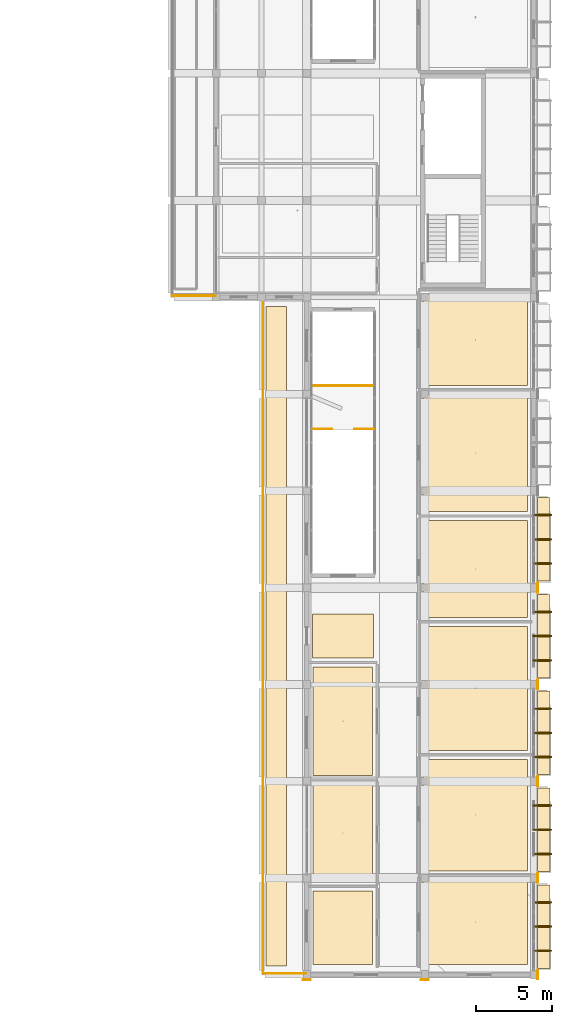
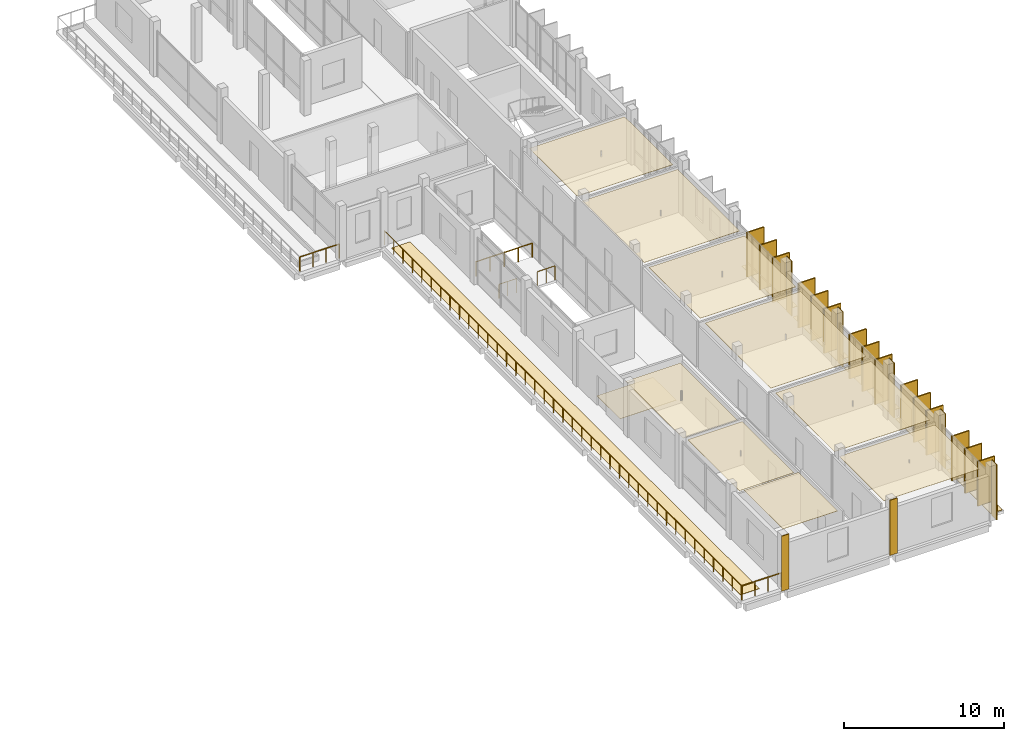
# One storey, part 82 of 85: 38 coverings, 15 shading devices, 6 railings.
"""IFC4 building model written with IfcOpenShell, lengths in metres."""

from ifc_helpers import new_model, si_unit, derived_unit, direction, frame, origin, origin_2d, place, context, subcontext, project, spatial, polyline, rectangle, circle, outline, extrude, material, layer, layer_set, type_object, element, save


model = new_model("IFC4")

# Units and contexts
model_context = context("Model", 3, precision=1e-05, world=origin(), true_north=direction((0.0, 1.0)))
body_context = subcontext(model_context, "Body", "Model", "MODEL_VIEW")
ifc_project = project(units=[si_unit("LENGTHUNIT", "METRE"), si_unit("AREAUNIT", "SQUARE_METRE"), si_unit("VOLUMEUNIT", "CUBIC_METRE"), si_unit("PLANEANGLEUNIT", "RADIAN"), si_unit("MASSUNIT", "GRAM", prefix="KILO"), derived_unit("THERMALTRANSMITTANCEUNIT", [(si_unit("POWERUNIT", "WATT"), 1), (si_unit("LENGTHUNIT", "METRE"), -2), (si_unit("THERMODYNAMICTEMPERATUREUNIT", "KELVIN"), -1)])], contexts=[model_context])

# Site, building, storey
site_placement = place(None, origin())
site = spatial("IfcSite", under=ifc_project, at=site_placement, CompositionType="ELEMENT")
building_placement = place(site_placement, origin())
building = spatial("IfcBuilding", under=site, at=building_placement, Name="Braskholm Square Health Centre", CompositionType="ELEMENT")
storey_placement = place(building_placement, frame((0.0, 0.0, 9.300048828125)))
storey = spatial("IfcBuildingStorey", under=building, at=storey_placement, Name="L03", CompositionType="ELEMENT", Elevation=9.300048828125)

# Coverings
ifc_material_1 = material(Name="Fire-rated gypsum board barrier")
ifc_layer_1 = layer(ifc_material_1, 0.02490234375)
ifc_layer_set_1 = layer_set([ifc_layer_1], Name="Fire-rated gypsum board barrier")
covering_type_1 = type_object("IfcCoveringType", Name="AcousticClinicalCeilingTile", PredefinedType="CEILING", material=ifc_layer_set_1)
covering_1_placement = place(storey_placement, frame((0.0, 0.0, 3.46484375)))
element("IfcCovering", 1, at=covering_1_placement, inside=storey, type_object=covering_type_1, Name="Acoustic ceiling L03-216", PredefinedType="CEILING", context=body_context, shape_type="SweptSolid", body=[
    extrude(outline(polyline([(156.5, 4.89990234375), (163.3798828125, 4.89990234375), (163.3798828125, 10.47998046875), (156.5, 10.47998046875), (156.5, 4.89990234375)])), origin(), (0.0, 0.0, 1.0), 0.025146484375),
])
covering_2_placement = place(storey_placement, frame((0.0, 0.0, 3.46484375)))
element("IfcCovering", 2, at=covering_2_placement, inside=storey, type_object=covering_type_1, Name="Acoustic ceiling L03-217", PredefinedType="CEILING", context=body_context, shape_type="SweptSolid", body=[
    extrude(outline(polyline([(156.5, 11.080078125), (163.3798828125, 11.080078125), (163.3798828125, 18.449951171875), (156.5, 18.449951171875), (156.5, 11.080078125)])), origin(), (0.0, 0.0, 1.0), 0.025146484375),
])
covering_3_placement = place(storey_placement, frame((0.0, 0.0, 3.46484375)))
element("IfcCovering", 3, at=covering_3_placement, inside=storey, type_object=covering_type_1, Name="Acoustic ceiling L03-218", PredefinedType="CEILING", context=body_context, shape_type="SweptSolid", body=[
    extrude(outline(polyline([(156.5, 19.050048828125), (163.3798828125, 19.050048828125), (163.3798828125, 27.239990234375), (156.5, 27.239990234375), (156.5, 19.050048828125)])), origin(), (0.0, 0.0, 1.0), 0.025146484375),
])
covering_4_placement = place(storey_placement, frame((0.0, 0.0, 3.46484375)))
element("IfcCovering", 4, at=covering_4_placement, inside=storey, type_object=covering_type_1, Name="Acoustic ceiling L03-219", PredefinedType="CEILING", context=body_context, shape_type="SweptSolid", body=[
    extrude(outline(polyline([(156.5, 27.840087890625), (163.3798828125, 27.840087890625), (163.3798828125, 34.239990234375), (156.5, 34.239990234375), (156.5, 27.840087890625)])), origin(), (0.0, 0.0, 1.0), 0.025146484375),
])
covering_5_placement = place(storey_placement, frame((0.0, 0.0, 3.46484375)))
element("IfcCovering", 5, at=covering_5_placement, inside=storey, type_object=covering_type_1, Name="Acoustic ceiling L03-220", PredefinedType="CEILING", context=body_context, shape_type="SweptSolid", body=[
    extrude(outline(polyline([(156.5, 34.840087890625), (163.3798828125, 34.840087890625), (163.3798828125, 42.580078125), (156.5, 42.580078125), (156.5, 34.840087890625)])), origin(), (0.0, 0.0, 1.0), 0.025146484375),
])
covering_6_placement = place(storey_placement, frame((0.0, 0.0, 3.46484375)))
element("IfcCovering", 6, at=covering_6_placement, inside=storey, type_object=covering_type_1, Name="Acoustic ceiling L03-221", PredefinedType="CEILING", context=body_context, shape_type="SweptSolid", body=[
    extrude(outline(polyline([(156.5, 43.179931640625), (163.3798828125, 43.179931640625), (163.3798828125, 49.199951171875), (156.5, 49.199951171875), (156.5, 43.179931640625)])), origin(), (0.0, 0.0, 1.0), 0.025146484375),
])
covering_7_placement = place(storey_placement, frame((0.0, 0.0, 3.864990234375)))
element("IfcCovering", 7, at=covering_7_placement, inside=storey, type_object=covering_type_1, Name="Acoustic ceiling L03-235", PredefinedType="CEILING", context=body_context, shape_type="SweptSolid", body=[
    extrude(outline(polyline([(149.219970703125, 4.89990234375), (153.14990234375, 4.89990234375), (153.14990234375, 9.760009765625), (149.219970703125, 9.760009765625), (149.219970703125, 4.89990234375)])), origin(), (0.0, 0.0, 1.0), 0.02490234375),
])
covering_8_placement = place(storey_placement, frame((0.0, 0.0, 3.46484375)))
element("IfcCovering", 8, at=covering_8_placement, inside=storey, type_object=covering_type_1, Name="Acoustic ceiling L03-236", PredefinedType="CEILING", context=body_context, shape_type="SweptSolid", body=[
    extrude(outline(polyline([(149.219970703125, 10.360107421875), (153.14990234375, 10.360107421875), (153.14990234375, 16.7900390625), (149.219970703125, 16.7900390625), (149.219970703125, 10.360107421875)])), origin(), (0.0, 0.0, 1.0), 0.025146484375),
])
covering_9_placement = place(storey_placement, frame((0.0, 0.0, 3.21484375)))
element("IfcCovering", 9, at=covering_9_placement, inside=storey, type_object=covering_type_1, Name="Acoustic ceiling L03-237", PredefinedType="CEILING", context=body_context, shape_type="SweptSolid", body=[
    extrude(outline(polyline([(149.219970703125, 17.389892578125), (153.14990234375, 17.389892578125), (153.14990234375, 24.550048828125), (149.219970703125, 24.550048828125), (149.219970703125, 17.389892578125)])), origin(), (0.0, 0.0, 1.0), 0.025146484375),
])

# Railings
ifc_material_2 = material(Name="Dark patinated chevron architectural bronze", Category="aluminium")
railing_type = type_object("IfcRailingType", Name="BronzeChevronGuardrail1100", PredefinedType="GUARDRAIL", material=ifc_material_2)
railing_1_placement = place(storey_placement, frame((149.179931640625, 43.14990234375, 0.0)))
element("IfcRailing", 10, at=railing_1_placement, inside=storey, type_object=railing_type, Name="Atrium stair landing edge guard 10", PredefinedType="GUARDRAIL", context=body_context, shape_type="SweptSolid", body=[
    extrude(circle(Radius=0.02392578125, at=origin_2d()), frame((0.0, 0.0, 1.076171875), z_axis=(1.0, 0.0, 0.0), x_axis=(0.0, 1.0, 0.0)), (0.0, 0.0, 1.0), 4.0400390625),
    extrude(circle(Radius=0.02099609375, at=origin_2d()), origin(), (0.0, 0.0, 1.0), 1.052001953125),
    extrude(circle(Radius=0.02099609375, at=origin_2d()), frame((1.010009765625, 0.0, 0.0)), (0.0, 0.0, 1.0), 1.052001953125),
    extrude(circle(Radius=0.02099609375, at=origin_2d()), frame((2.02001953125, 0.0, 0.0)), (0.0, 0.0, 1.0), 1.052001953125),
    extrude(circle(Radius=0.02099609375, at=origin_2d()), frame((3.030029296875, 0.0, 0.0)), (0.0, 0.0, 1.0), 1.052001953125),
    extrude(circle(Radius=0.02099609375, at=origin_2d()), frame((4.0400390625, 0.0, 0.0)), (0.0, 0.0, 1.0), 1.052001953125),
])
for number, where, name in (
    (11, (149.179931640625, 40.300048828125, 0.0), "Atrium stair landing edge guard 11"),
    (12, (151.949951171875, 40.300048828125, 0.0), "Atrium stair landing edge guard 12"),
):
    element("IfcRailing", number, at=place(storey_placement, frame(where)), inside=storey, type_object=railing_type, Name=name, PredefinedType="GUARDRAIL", context=body_context, shape_type="SweptSolid", body=[
        extrude(circle(Radius=0.02392578125, at=origin_2d()), frame((0.0, 0.0, 1.076171875), z_axis=(1.0, 0.0, 0.0), x_axis=(0.0, 1.0, 0.0)), (0.0, 0.0, 1.0), 1.27001953125),
        extrude(circle(Radius=0.02099609375, at=origin_2d()), origin(), (0.0, 0.0, 1.0), 1.052001953125),
        extrude(circle(Radius=0.02099609375, at=origin_2d()), frame((0.635009765625, 0.0, 0.0)), (0.0, 0.0, 1.0), 1.052001953125),
        extrude(circle(Radius=0.02099609375, at=origin_2d()), frame((1.27001953125, 0.0, 0.0)), (0.0, 0.0, 1.0), 1.052001953125),
    ])
railing_2_placement = place(storey_placement, frame((148.75, 4.300048828125, 0.0)))
element("IfcRailing", 13, at=railing_2_placement, inside=storey, type_object=railing_type, Name="Bronze chevron guardrail 0032 L03", PredefinedType="GUARDRAIL", context=body_context, shape_type="SweptSolid", body=[
    extrude(circle(Radius=0.02392578125, at=origin_2d()), frame((0.0, 0.0, 1.076171875), z_axis=(-1.0, 0.0, 0.0), x_axis=(0.0, -1.0, 0.0)), (0.0, 0.0, 1.0), 2.85009765625),
    extrude(circle(Radius=0.02099609375, at=origin_2d()), origin(), (0.0, 0.0, 1.0), 1.052001953125),
    extrude(circle(Radius=0.02099609375, at=origin_2d()), frame((-0.949951171875, 0.0, 0.0)), (0.0, 0.0, 1.0), 1.052001953125),
    extrude(circle(Radius=0.02099609375, at=origin_2d()), frame((-1.900146484375, 0.0, 0.0)), (0.0, 0.0, 1.0), 1.052001953125),
    extrude(circle(Radius=0.02099609375, at=origin_2d()), frame((-2.85009765625, 0.0, 0.0)), (0.0, 0.0, 1.0), 1.052001953125),
])
railing_3_placement = place(storey_placement, frame((145.89990234375, 4.300048828125, 0.0)))
element("IfcRailing", 14, at=railing_3_placement, inside=storey, type_object=railing_type, Name="Bronze chevron guardrail 0033 L03", PredefinedType="GUARDRAIL", context=body_context, shape_type="SweptSolid", body=[
    extrude(circle(Radius=0.02392578125, at=origin_2d()), frame((0.0, 0.0, 1.076171875), z_axis=(0.0, 1.0, 0.0), x_axis=(-1.0, 0.0, 0.0)), (0.0, 0.0, 1.0), 44.64990234375),
    extrude(circle(Radius=0.02099609375, at=origin_2d()), origin(), (0.0, 0.0, 1.0), 1.052001953125),
    extrude(circle(Radius=0.02099609375, at=origin_2d()), frame((0.0, 1.175048828125, 0.0)), (0.0, 0.0, 1.0), 1.052001953125),
    extrude(circle(Radius=0.02099609375, at=origin_2d()), frame((0.0, 2.35009765625, 0.0)), (0.0, 0.0, 1.0), 1.052001953125),
    extrude(circle(Radius=0.02099609375, at=origin_2d()), frame((0.0, 3.52490234375, 0.0)), (0.0, 0.0, 1.0), 1.052001953125),
    extrude(circle(Radius=0.02099609375, at=origin_2d()), frame((0.0, 4.699951171875, 0.0)), (0.0, 0.0, 1.0), 1.052001953125),
    extrude(circle(Radius=0.02099609375, at=origin_2d()), frame((0.0, 5.875, 0.0)), (0.0, 0.0, 1.0), 1.052001953125),
    extrude(circle(Radius=0.02099609375, at=origin_2d()), frame((0.0, 7.050048828125, 0.0)), (0.0, 0.0, 1.0), 1.052001953125),
    extrude(circle(Radius=0.02099609375, at=origin_2d()), frame((0.0, 8.22509765625, 0.0)), (0.0, 0.0, 1.0), 1.052001953125),
    extrude(circle(Radius=0.02099609375, at=origin_2d()), frame((0.0, 9.39990234375, 0.0)), (0.0, 0.0, 1.0), 1.052001953125),
    extrude(circle(Radius=0.02099609375, at=origin_2d()), frame((0.0, 10.574951171875, 0.0)), (0.0, 0.0, 1.0), 1.052001953125),
    extrude(circle(Radius=0.02099609375, at=origin_2d()), frame((0.0, 11.75, 0.0)), (0.0, 0.0, 1.0), 1.052001953125),
    extrude(circle(Radius=0.02099609375, at=origin_2d()), frame((0.0, 12.925048828125, 0.0)), (0.0, 0.0, 1.0), 1.052001953125),
    extrude(circle(Radius=0.02099609375, at=origin_2d()), frame((0.0, 14.099853515625, 0.0)), (0.0, 0.0, 1.0), 1.052001953125),
    extrude(circle(Radius=0.02099609375, at=origin_2d()), frame((0.0, 15.27490234375, 0.0)), (0.0, 0.0, 1.0), 1.052001953125),
    extrude(circle(Radius=0.02099609375, at=origin_2d()), frame((0.0, 16.449951171875, 0.0)), (0.0, 0.0, 1.0), 1.052001953125),
    extrude(circle(Radius=0.02099609375, at=origin_2d()), frame((0.0, 17.625, 0.0)), (0.0, 0.0, 1.0), 1.052001953125),
    extrude(circle(Radius=0.02099609375, at=origin_2d()), frame((0.0, 18.800048828125, 0.0)), (0.0, 0.0, 1.0), 1.052001953125),
    extrude(circle(Radius=0.02099609375, at=origin_2d()), frame((0.0, 19.974853515625, 0.0)), (0.0, 0.0, 1.0), 1.052001953125),
    extrude(circle(Radius=0.02099609375, at=origin_2d()), frame((0.0, 21.14990234375, 0.0)), (0.0, 0.0, 1.0), 1.052001953125),
    extrude(circle(Radius=0.02099609375, at=origin_2d()), frame((0.0, 22.324951171875, 0.0)), (0.0, 0.0, 1.0), 1.052001953125),
    extrude(circle(Radius=0.02099609375, at=origin_2d()), frame((0.0, 23.5, 0.0)), (0.0, 0.0, 1.0), 1.052001953125),
    extrude(circle(Radius=0.02099609375, at=origin_2d()), frame((0.0, 24.675048828125, 0.0)), (0.0, 0.0, 1.0), 1.052001953125),
    extrude(circle(Radius=0.02099609375, at=origin_2d()), frame((0.0, 25.849853515625, 0.0)), (0.0, 0.0, 1.0), 1.052001953125),
    extrude(circle(Radius=0.02099609375, at=origin_2d()), frame((0.0, 27.02490234375, 0.0)), (0.0, 0.0, 1.0), 1.052001953125),
    extrude(circle(Radius=0.02099609375, at=origin_2d()), frame((0.0, 28.199951171875, 0.0)), (0.0, 0.0, 1.0), 1.052001953125),
    extrude(circle(Radius=0.02099609375, at=origin_2d()), frame((0.0, 29.375, 0.0)), (0.0, 0.0, 1.0), 1.052001953125),
    extrude(circle(Radius=0.02099609375, at=origin_2d()), frame((0.0, 30.550048828125, 0.0)), (0.0, 0.0, 1.0), 1.052001953125),
    extrude(circle(Radius=0.02099609375, at=origin_2d()), frame((0.0, 31.724853515625, 0.0)), (0.0, 0.0, 1.0), 1.052001953125),
    extrude(circle(Radius=0.02099609375, at=origin_2d()), frame((0.0, 32.89990234375, 0.0)), (0.0, 0.0, 1.0), 1.052001953125),
    extrude(circle(Radius=0.02099609375, at=origin_2d()), frame((0.0, 34.074951171875, 0.0)), (0.0, 0.0, 1.0), 1.052001953125),
    extrude(circle(Radius=0.02099609375, at=origin_2d()), frame((0.0, 35.25, 0.0)), (0.0, 0.0, 1.0), 1.052001953125),
    extrude(circle(Radius=0.02099609375, at=origin_2d()), frame((0.0, 36.4248046875, 0.0)), (0.0, 0.0, 1.0), 1.052001953125),
    extrude(circle(Radius=0.02099609375, at=origin_2d()), frame((0.0, 37.599853515625, 0.0)), (0.0, 0.0, 1.0), 1.052001953125),
    extrude(circle(Radius=0.02099609375, at=origin_2d()), frame((0.0, 38.77490234375, 0.0)), (0.0, 0.0, 1.0), 1.052001953125),
    extrude(circle(Radius=0.02099609375, at=origin_2d()), frame((0.0, 39.949951171875, 0.0)), (0.0, 0.0, 1.0), 1.052001953125),
    extrude(circle(Radius=0.02099609375, at=origin_2d()), frame((0.0, 41.125, 0.0)), (0.0, 0.0, 1.0), 1.052001953125),
    extrude(circle(Radius=0.02099609375, at=origin_2d()), frame((0.0, 42.2998046875, 0.0)), (0.0, 0.0, 1.0), 1.052001953125),
    extrude(circle(Radius=0.02099609375, at=origin_2d()), frame((0.0, 43.474853515625, 0.0)), (0.0, 0.0, 1.0), 1.052001953125),
    extrude(circle(Radius=0.02099609375, at=origin_2d()), frame((0.0, 44.64990234375, 0.0)), (0.0, 0.0, 1.0), 1.052001953125),
])
railing_4_placement = place(storey_placement, frame((142.75, 49.10009765625, 0.0)))
element("IfcRailing", 15, at=railing_4_placement, inside=storey, type_object=railing_type, Name="Bronze chevron guardrail 0034 L03", PredefinedType="GUARDRAIL", context=body_context, shape_type="SweptSolid", body=[
    extrude(circle(Radius=0.02392578125, at=origin_2d()), frame((0.0, 0.0, 1.076171875), z_axis=(-1.0, 0.0, 0.0), x_axis=(0.0, -1.0, 0.0)), (0.0, 0.0, 1.0), 2.85009765625),
    extrude(circle(Radius=0.02099609375, at=origin_2d()), origin(), (0.0, 0.0, 1.0), 1.052001953125),
    extrude(circle(Radius=0.02099609375, at=origin_2d()), frame((-0.949951171875, 0.0, 0.0)), (0.0, 0.0, 1.0), 1.052001953125),
    extrude(circle(Radius=0.02099609375, at=origin_2d()), frame((-1.900146484375, 0.0, 0.0)), (0.0, 0.0, 1.0), 1.052001953125),
    extrude(circle(Radius=0.02099609375, at=origin_2d()), frame((-2.85009765625, 0.0, 0.0)), (0.0, 0.0, 1.0), 1.052001953125),
])

# Shading devices
ifc_material_3 = material(Name="Thermally modified western red cedar with bronze trim", Category="wood")
shading_device_type = type_object("IfcShadingDeviceType", Name="CedarBronzeShadingFin1250", PredefinedType="USERDEFINED", material=ifc_material_3)
for number, where, z_axis, x_axis, name in (
    (16, (164.364990234375, 5.800048828125, 0.0), (0.0, 0.0, 1.0), (1.0, 0.0, 0.0), "Warm cedar-bronze vertical shading slat 0256"),
    (17, (164.364990234375, 7.39990234375, 0.0), (0.0, 0.0, 1.0), (1.0, 0.0, 0.0), "Warm cedar-bronze vertical shading slat 0257"),
    (18, (164.364990234375, 9.0, 0.0), (0.0, 0.0, 1.0), (1.0, 0.0, 0.0), "Warm cedar-bronze vertical shading slat 0258"),
    (19, (164.364990234375, 12.199951171875, 0.0), (0.0, 0.0, 1.0), (1.0, 0.0, 0.0), "Warm cedar-bronze vertical shading slat 0259"),
    (20, (164.364990234375, 13.800048828125, 0.0), (0.0, 0.0, 1.0), (1.0, 0.0, 0.0), "Warm cedar-bronze vertical shading slat 0260"),
    (21, (164.364990234375, 15.39990234375, 0.0), (0.0, 0.0, 1.0), (1.0, 0.0, 0.0), "Warm cedar-bronze vertical shading slat 0261"),
    (22, (164.364990234375, 18.60009765625, 0.0), (0.0, 0.0, 1.0), (1.0, 0.0, 0.0), "Warm cedar-bronze vertical shading slat 0262"),
    (23, (164.364990234375, 20.199951171875, 0.0), (0.0, 0.0, 1.0), (1.0, 0.0, 0.0), "Warm cedar-bronze vertical shading slat 0263"),
    (24, (164.364990234375, 21.800048828125, 0.0), (0.0, 0.0, 1.0), (1.0, 0.0, 0.0), "Warm cedar-bronze vertical shading slat 0264"),
    (25, (164.364990234375, 25.0, 0.0), (0.0, 0.0, 1.0), (1.0, 0.0, 0.0), "Warm cedar-bronze vertical shading slat 0265"),
    (26, (164.364990234375, 26.60009765625, 0.0), (0.0, 0.0, 1.0), (1.0, 0.0, 0.0), "Warm cedar-bronze vertical shading slat 0266"),
    (27, (164.364990234375, 28.199951171875, 0.0), (0.0, 0.0, 1.0), (1.0, 0.0, 0.0), "Warm cedar-bronze vertical shading slat 0267"),
    (28, (164.364990234375, 31.39990234375, 0.0), (0.0, 0.0, 1.0), (1.0, 0.0, 0.0), "Warm cedar-bronze vertical shading slat 0268"),
    (29, (164.364990234375, 33.0, 0.0), (0.0, 0.0, 1.0), (1.0, 0.0, 0.0), "Warm cedar-bronze vertical shading slat 0269"),
    (30, (164.364990234375, 34.60009765625, 0.0), (0.0, 0.0, 1.0), (1.0, 0.0, 0.0), "Warm cedar-bronze vertical shading slat 0270"),
):
    element("IfcShadingDevice", number, at=place(storey_placement, frame(where, z_axis=z_axis, x_axis=x_axis)), inside=storey, type_object=shading_device_type, Name=name, ObjectType="FIN", PredefinedType="USERDEFINED", context=body_context, shape_type="SweptSolid", body=[
        extrude(rectangle(XDim=1.25, YDim=0.0849609375, at=origin_2d()), origin(), (0.0, 0.0, 1.0), 3.39990234375),
    ])

# Coverings
ifc_layer_2 = layer(ifc_material_3, 0.0849609375)
ifc_layer_set_2 = layer_set([ifc_layer_2], Name="Thermally modified western red cedar with bronze trim")
covering_type_2 = type_object("IfcCoveringType", Name="CedarBronzeSlatCladding", PredefinedType="CLADDING", material=ifc_layer_set_2)
for number, where, z_axis, x_axis, name in (
    (31, (164.3701171875, 5.800048828125, 0.0), (0.0, 0.0, 1.0), (1.0, 0.0, 0.0), "Cedar-bronze shading slat trim 0747"),
    (32, (164.3701171875, 7.39990234375, 0.0), (0.0, 0.0, 1.0), (1.0, 0.0, 0.0), "Cedar-bronze shading slat trim 0748"),
    (33, (164.3701171875, 9.0, 0.0), (0.0, 0.0, 1.0), (1.0, 0.0, 0.0), "Cedar-bronze shading slat trim 0749"),
    (34, (164.3701171875, 12.199951171875, 0.0), (0.0, 0.0, 1.0), (1.0, 0.0, 0.0), "Cedar-bronze shading slat trim 0751"),
    (35, (164.3701171875, 13.800048828125, 0.0), (0.0, 0.0, 1.0), (1.0, 0.0, 0.0), "Cedar-bronze shading slat trim 0752"),
    (36, (164.3701171875, 15.39990234375, 0.0), (0.0, 0.0, 1.0), (1.0, 0.0, 0.0), "Cedar-bronze shading slat trim 0753"),
    (37, (164.3701171875, 18.60009765625, 0.0), (0.0, 0.0, 1.0), (1.0, 0.0, 0.0), "Cedar-bronze shading slat trim 0755"),
    (38, (164.3701171875, 20.199951171875, 0.0), (0.0, 0.0, 1.0), (1.0, 0.0, 0.0), "Cedar-bronze shading slat trim 0756"),
    (39, (164.3701171875, 21.800048828125, 0.0), (0.0, 0.0, 1.0), (1.0, 0.0, 0.0), "Cedar-bronze shading slat trim 0757"),
    (40, (164.3701171875, 25.0, 0.0), (0.0, 0.0, 1.0), (1.0, 0.0, 0.0), "Cedar-bronze shading slat trim 0759"),
    (41, (164.3701171875, 26.60009765625, 0.0), (0.0, 0.0, 1.0), (1.0, 0.0, 0.0), "Cedar-bronze shading slat trim 0760"),
    (42, (164.3701171875, 28.199951171875, 0.0), (0.0, 0.0, 1.0), (1.0, 0.0, 0.0), "Cedar-bronze shading slat trim 0761"),
    (43, (164.3701171875, 31.39990234375, 0.0), (0.0, 0.0, 1.0), (1.0, 0.0, 0.0), "Cedar-bronze shading slat trim 0763"),
    (44, (164.3701171875, 33.0, 0.0), (0.0, 0.0, 1.0), (1.0, 0.0, 0.0), "Cedar-bronze shading slat trim 0764"),
    (45, (164.3701171875, 34.60009765625, 0.0), (0.0, 0.0, 1.0), (1.0, 0.0, 0.0), "Cedar-bronze shading slat trim 0765"),
):
    element("IfcCovering", number, at=place(storey_placement, frame(where, z_axis=z_axis, x_axis=x_axis)), inside=storey, type_object=covering_type_2, Name=name, PredefinedType="CLADDING", context=body_context, shape_type="SweptSolid", body=[
        extrude(rectangle(XDim=1.179931640625, YDim=0.094970703125, at=origin_2d()), origin(), (0.0, 0.0, 1.0), 3.39990234375),
    ])
ifc_material_4 = material(Name="Intensive botanical sedum and native prairie garden bed")
ifc_layer_3 = layer(ifc_material_4, 0.02490234375)
ifc_layer_set_3 = layer_set([ifc_layer_3], Name="Intensive botanical sedum and native prairie garden bed")
covering_type_3 = type_object("IfcCoveringType", Name="PlantedTerraceGardenBed", PredefinedType="ROOFING", material=ifc_layer_set_3)
covering_10_placement = place(storey_placement, origin())
element("IfcCovering", 46, at=covering_10_placement, inside=storey, type_object=covering_type_3, Name="East floor planter ledge sedum strip 0750", PredefinedType="ROOFING", context=body_context, shape_type="SweptSolid", body=[
    extrude(outline(polyline([(164.050048828125, 4.639892578125), (164.8798828125, 4.639892578125), (164.8798828125, 10.159912109375), (164.050048828125, 10.159912109375), (164.050048828125, 4.639892578125)])), origin(), (0.0, 0.0, 1.0), 0.02490234375),
])
covering_11_placement = place(storey_placement, origin())
element("IfcCovering", 47, at=covering_11_placement, inside=storey, type_object=covering_type_3, Name="East floor planter ledge sedum strip 0754", PredefinedType="ROOFING", context=body_context, shape_type="SweptSolid", body=[
    extrude(outline(polyline([(164.050048828125, 11.0400390625), (164.8798828125, 11.0400390625), (164.8798828125, 16.56005859375), (164.050048828125, 16.56005859375), (164.050048828125, 11.0400390625)])), origin(), (0.0, 0.0, 1.0), 0.02490234375),
])
covering_12_placement = place(storey_placement, origin())
element("IfcCovering", 48, at=covering_12_placement, inside=storey, type_object=covering_type_3, Name="East floor planter ledge sedum strip 0758", PredefinedType="ROOFING", context=body_context, shape_type="SweptSolid", body=[
    extrude(outline(polyline([(164.050048828125, 17.43994140625), (164.8798828125, 17.43994140625), (164.8798828125, 22.9599609375), (164.050048828125, 22.9599609375), (164.050048828125, 17.43994140625)])), origin(), (0.0, 0.0, 1.0), 0.02490234375),
])
covering_13_placement = place(storey_placement, origin())
element("IfcCovering", 49, at=covering_13_placement, inside=storey, type_object=covering_type_3, Name="East floor planter ledge sedum strip 0762", PredefinedType="ROOFING", context=body_context, shape_type="SweptSolid", body=[
    extrude(outline(polyline([(164.050048828125, 23.840087890625), (164.8798828125, 23.840087890625), (164.8798828125, 29.360107421875), (164.050048828125, 29.360107421875), (164.050048828125, 23.840087890625)])), origin(), (0.0, 0.0, 1.0), 0.02490234375),
])
covering_14_placement = place(storey_placement, origin())
element("IfcCovering", 50, at=covering_14_placement, inside=storey, type_object=covering_type_3, Name="East floor planter ledge sedum strip 0766", PredefinedType="ROOFING", context=body_context, shape_type="SweptSolid", body=[
    extrude(outline(polyline([(164.050048828125, 30.239990234375), (164.8798828125, 30.239990234375), (164.8798828125, 35.760009765625), (164.050048828125, 35.760009765625), (164.050048828125, 30.239990234375)])), origin(), (0.0, 0.0, 1.0), 0.02490234375),
])
covering_15_placement = place(storey_placement, origin())
element("IfcCovering", 51, at=covering_15_placement, inside=storey, type_object=covering_type_3, Name="Planted therapy terrace garden bed 0912", PredefinedType="ROOFING", context=body_context, shape_type="SweptSolid", body=[
    extrude(outline(polyline([(146.10009765625, 4.800048828125), (147.449951171875, 4.800048828125), (147.449951171875, 48.39990234375), (146.10009765625, 48.39990234375), (146.10009765625, 4.800048828125)])), origin(), (0.0, 0.0, 1.0), 0.02490234375),
])
ifc_material_5 = material(Name="Polished geometric terrazzo flooring", Category="masonry")
ifc_layer_4 = layer(ifc_material_5, 0.02001953125)
ifc_layer_set_4 = layer_set([ifc_layer_4], Name="Polished geometric terrazzo flooring")
covering_type_4 = type_object("IfcCoveringType", Name="PolishedTerrazzoFloorFinish", PredefinedType="FLOORING", material=ifc_layer_set_4)
covering_16_placement = place(storey_placement, origin())
element("IfcCovering", 52, at=covering_16_placement, inside=storey, type_object=covering_type_4, Name="Polished terrazzo floor L03-231", PredefinedType="FLOORING", context=body_context, shape_type="SweptSolid", body=[
    extrude(outline(polyline([(149.169921875, 25.14990234375), (153.219970703125, 25.14990234375), (153.219970703125, 28.050048828125), (149.169921875, 28.050048828125), (149.169921875, 25.14990234375)])), origin(), (0.0, 0.0, 1.0), 0.02001953125),
])
ifc_material_6 = material(Name="Precast concrete C40/50 architectural white", Category="concrete")
ifc_layer_5 = layer(ifc_material_6, 0.054931640625)
ifc_layer_set_5 = layer_set([ifc_layer_5], Name="Precast concrete C40/50 architectural white")
covering_type_5 = type_object("IfcCoveringType", Name="PrecastWhiteColumnCasing", PredefinedType="CLADDING", material=ifc_layer_set_5)
for number, where, z_axis, x_axis, name in (
    (53, (148.800048828125, 3.89501953125, 0.0), (0.0, 0.0, 1.0), (1.0, 0.0, 0.0), "Giant-order white precast column casing 0226"),
    (54, (156.60009765625, 3.89501953125, 0.0), (0.0, 0.0, 1.0), (1.0, 0.0, 0.0), "Giant-order white precast column casing 0236"),
):
    element("IfcCovering", number, at=place(storey_placement, frame(where, z_axis=z_axis, x_axis=x_axis)), inside=storey, type_object=covering_type_5, Name=name, PredefinedType="CLADDING", context=body_context, shape_type="SweptSolid", body=[
        extrude(rectangle(XDim=0.5400390625, YDim=0.06005859375, at=origin_2d()), origin(), (0.0, 0.0, 1.0), 4.199951171875),
    ])
for number, where, z_axis, x_axis, name in (
    (55, (164.054931640625, 4.199951171875, 0.0), (0.0, 0.0, 1.0), (1.0, 0.0, 0.0), "Giant-order white precast column casing 0246"),
    (56, (164.054931640625, 10.60009765625, 0.0), (0.0, 0.0, 1.0), (1.0, 0.0, 0.0), "Giant-order white precast column casing 0254"),
    (57, (164.054931640625, 17.0, 0.0), (0.0, 0.0, 1.0), (1.0, 0.0, 0.0), "Giant-order white precast column casing 0262"),
    (58, (164.054931640625, 23.39990234375, 0.0), (0.0, 0.0, 1.0), (1.0, 0.0, 0.0), "Giant-order white precast column casing 0270"),
    (59, (164.054931640625, 29.800048828125, 0.0), (0.0, 0.0, 1.0), (1.0, 0.0, 0.0), "Giant-order white precast column casing 0278"),
):
    element("IfcCovering", number, at=place(storey_placement, frame(where, z_axis=z_axis, x_axis=x_axis)), inside=storey, type_object=covering_type_5, Name=name, PredefinedType="CLADDING", context=body_context, shape_type="SweptSolid", body=[
        extrude(rectangle(XDim=0.06005859375, YDim=0.639892578125, at=origin_2d()), origin(), (0.0, 0.0, 1.0), 4.199951171875),
    ])

save(model, "model.ifc")
